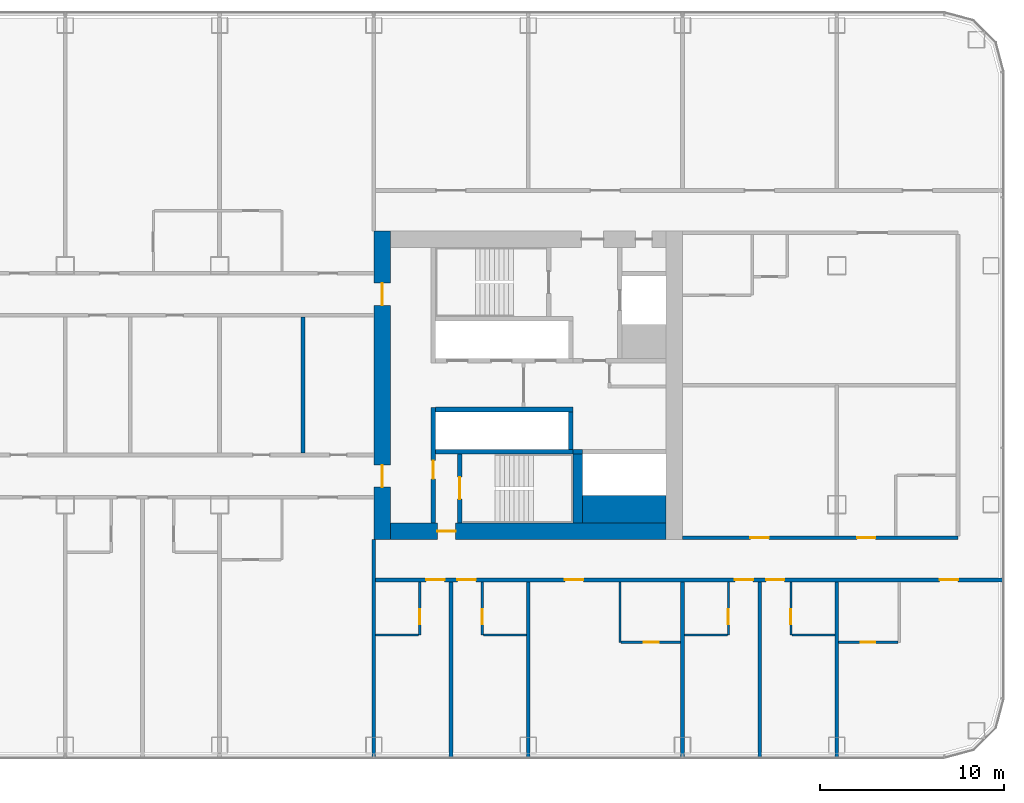
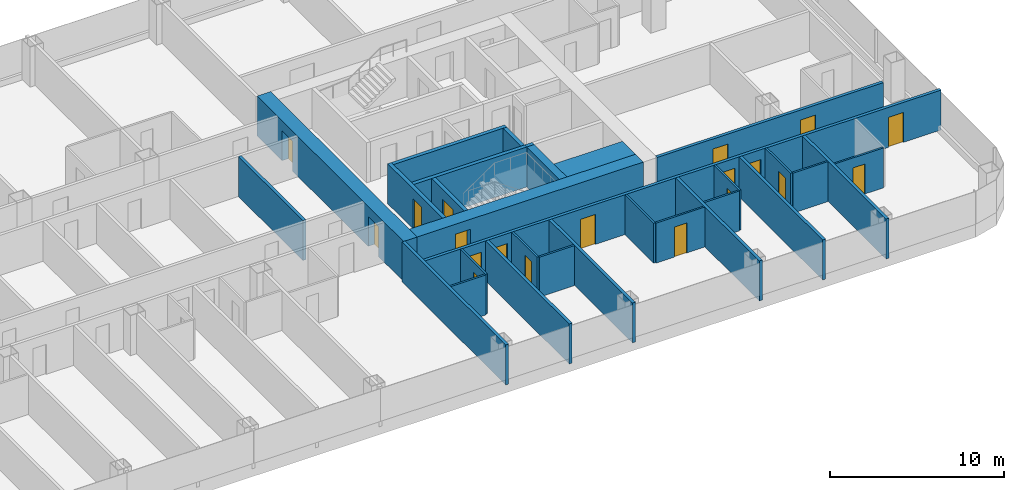
# One storey, part 18 of 29: 30 walls, 19 doors, 19 openings.
"""IFC4 building model written with IfcOpenShell, lengths in metres."""

from ifc_helpers import new_model, si_unit, direction, frame, frame_2d, origin, place, context, subcontext, project, spatial, rectangle, extrude, material, layer, layer_set, type_object, element, fill, save


model = new_model("IFC4")

# Units and contexts
model_context = context("Model", 3, precision=1e-05, world=origin(), true_north=direction((0.0, 1.0)))
body_context = subcontext(model_context, "Body", "Model", "MODEL_VIEW")
ifc_project = project(units=[si_unit("LENGTHUNIT", "METRE"), si_unit("AREAUNIT", "SQUARE_METRE"), si_unit("VOLUMEUNIT", "CUBIC_METRE"), si_unit("PLANEANGLEUNIT", "RADIAN"), si_unit("MASSUNIT", "GRAM", prefix="KILO")], contexts=[model_context])

# Site, building, storey
site_placement = place(None, origin())
site = spatial("IfcSite", under=ifc_project, at=site_placement, CompositionType="ELEMENT")
building_placement = place(site_placement, origin())
building = spatial("IfcBuilding", under=site, at=building_placement, Name="Hakoniwa Tower and Hamabe Station Hall", CompositionType="ELEMENT")
storey_placement = place(building_placement, frame((0.0, 0.0, 45.39990234375)))
storey = spatial("IfcBuildingStorey", under=building, at=storey_placement, Name="L12", CompositionType="ELEMENT", Elevation=45.39990234375)

# Wall, opening, door
ifc_material_1 = material(Name="Gypsum board partition", Category="gypsum")
ifc_layer_1 = layer(ifc_material_1, 0.125)
ifc_layer_set_1 = layer_set([ifc_layer_1], Name="Bathroom Partition 125")
wall_type_1 = type_object("IfcWallType", Name="Bathroom Partition 125", PredefinedType="PARTITIONING", material=ifc_layer_set_1)
wall_1_placement = place(storey_placement, frame((30.262451171875, -14.0, 0.0), z_axis=(0.0, 0.0, 1.0), x_axis=(1.0, 0.0, 0.0)))
wall_1 = element("IfcWall", 1, at=wall_1_placement, inside=storey, type_object=wall_type_1, Name="GW-L12-003", PredefinedType="PARTITIONING", context=body_context, shape_type="SweptSolid", body=[
    extrude(rectangle(XDim=3.237548828125, YDim=0.125, at=frame_2d((1.61865234375, 0.0))), origin(), (0.0, 0.0, 1.0), 2.800048828125),
])
opening_1_placement = place(wall_1_placement, frame((1.237548828125, 0.0, 0.0)))
opening_1 = element("IfcOpeningElement", 2, at=opening_1_placement, cuts=wall_1, Name="Opening GD-G1D1-03", PredefinedType="OPENING", context=body_context, shape_type="SweptSolid", body=[
    extrude(rectangle(XDim=0.800048828125, YDim=2.10009765625, at=frame_2d((0.39990234375, 1.050048828125))), frame((0.0, 0.072509765625, 0.0), z_axis=(0.0, -1.0, 0.0), x_axis=(1.0, 0.0, 0.0)), (0.0, 0.0, 1.0), 0.14501953125),
])
ifc_material_2 = material(Name="Timber door leaf", Category="wood")
door_type_1 = type_object("IfcDoorType", Name="Bathroom Door 800", OperationType="SINGLE_SWING_LEFT", PredefinedType="DOOR", material=ifc_material_2)
door_1_placement = place(opening_1_placement, origin())
door_1 = element("IfcDoor", 3, at=door_1_placement, inside=storey, type_object=door_type_1, Name="Door GD-G1D1-03", OperationType="SINGLE_SWING_RIGHT", OverallHeight=2.10009765625, OverallWidth=0.800048828125, PredefinedType="DOOR", context=body_context, shape_type="SweptSolid", body=[
    extrude(rectangle(XDim=0.800048828125, YDim=2.10009765625, at=frame_2d((0.39990234375, 1.050048828125))), frame((0.0, 0.02490234375, 0.0), z_axis=(0.0, -1.0, 0.0), x_axis=(1.0, 0.0, 0.0)), (0.0, 0.0, 1.0), 0.050048828125),
])
fill(opening_1, door_1)

wall_2_placement = place(storey_placement, frame((42.10009765625, -14.0, 0.0), z_axis=(0.0, 0.0, 1.0), x_axis=(1.0, 0.0, 0.0)))
wall_2 = element("IfcWall", 4, at=wall_2_placement, inside=storey, type_object=wall_type_1, Name="GW-L12-004", PredefinedType="PARTITIONING", context=body_context, shape_type="SweptSolid", body=[
    extrude(rectangle(XDim=3.2373046875, YDim=0.125, at=frame_2d((1.61865234375, 0.0))), origin(), (0.0, 0.0, 1.0), 2.800048828125),
])
opening_2_placement = place(wall_2_placement, frame((1.199951171875, 0.0, 0.0)))
opening_2 = element("IfcOpeningElement", 5, at=opening_2_placement, cuts=wall_2, Name="Opening GD-G1D1-04", PredefinedType="OPENING", context=body_context, shape_type="SweptSolid", body=[
    extrude(rectangle(XDim=0.800048828125, YDim=2.10009765625, at=frame_2d((0.39990234375, 1.050048828125))), frame((0.0, 0.072509765625, 0.0), z_axis=(0.0, -1.0, 0.0), x_axis=(1.0, 0.0, 0.0)), (0.0, 0.0, 1.0), 0.14501953125),
])
door_2_placement = place(opening_2_placement, origin())
door_2 = element("IfcDoor", 6, at=door_2_placement, inside=storey, type_object=door_type_1, Name="Door GD-G1D1-04", OperationType="SINGLE_SWING_LEFT", OverallHeight=2.10009765625, OverallWidth=0.800048828125, PredefinedType="DOOR", context=body_context, shape_type="SweptSolid", body=[
    extrude(rectangle(XDim=0.800048828125, YDim=2.10009765625, at=frame_2d((0.39990234375, 1.050048828125))), frame((0.0, 0.02490234375, 0.0), z_axis=(0.0, -1.0, 0.0), x_axis=(1.0, 0.0, 0.0)), (0.0, 0.0, 1.0), 0.050048828125),
])
fill(opening_2, door_2)

# Walls
for number, where, z_axis, x_axis, name in (
    (7, (16.89990234375, -13.60009765625, 0.0), (0.0, 0.0, 1.0), (1.0, 0.0, 0.0), "GW-L12-009"),
    (8, (22.762451171875, -13.60009765625, 0.0), (0.0, 0.0, 1.0), (1.0, 0.0, 0.0), "GW-L12-010"),
    (9, (33.699951171875, -13.60009765625, 0.0), (0.0, 0.0, 1.0), (1.0, 0.0, 0.0), "GW-L12-011"),
):
    element("IfcWall", number, at=place(storey_placement, frame(where, z_axis=z_axis, x_axis=x_axis)), inside=storey, type_object=wall_type_1, Name=name, PredefinedType="PARTITIONING", context=body_context, shape_type="SweptSolid", body=[
        extrude(rectangle(XDim=2.337646484375, YDim=0.125, at=frame_2d((1.1689453125, 0.0))), origin(), (0.0, 0.0, 1.0), 2.800048828125),
    ])
wall_3_placement = place(storey_placement, frame((39.5625, -13.60009765625, 0.0), z_axis=(0.0, 0.0, 1.0), x_axis=(1.0, 0.0, 0.0)))
element("IfcWall", 10, at=wall_3_placement, inside=storey, type_object=wall_type_1, Name="GW-L12-012", PredefinedType="PARTITIONING", context=body_context, shape_type="SweptSolid", body=[
    extrude(rectangle(XDim=2.33740234375, YDim=0.125, at=frame_2d((1.168701171875, 0.0))), origin(), (0.0, 0.0, 1.0), 2.800048828125),
])

# Wall, opening, door
wall_4_placement = place(storey_placement, frame((19.300048828125, -13.60009765625, 0.0), z_axis=(0.0, 0.0, 1.0), x_axis=(0.0, 1.0, 0.0)))
wall_4 = element("IfcWall", 11, at=wall_4_placement, inside=storey, type_object=wall_type_1, Name="GW-L12-098", PredefinedType="PARTITIONING", context=body_context, shape_type="SweptSolid", body=[
    extrude(rectangle(XDim=2.900146484375, YDim=0.125, at=frame_2d((1.4501953125, 0.0))), origin(), (0.0, 0.0, 1.0), 2.800048828125),
])
opening_3_placement = place(wall_4_placement, frame((0.60009765625, 0.0, 0.0)))
opening_3 = element("IfcOpeningElement", 12, at=opening_3_placement, cuts=wall_4, Name="Opening GD-G1D1-76", PredefinedType="OPENING", context=body_context, shape_type="SweptSolid", body=[
    extrude(rectangle(XDim=0.800048828125, YDim=2.10009765625, at=frame_2d((0.39990234375, 1.050048828125))), frame((0.0, 0.072509765625, 0.0), z_axis=(0.0, -1.0, 0.0), x_axis=(1.0, 0.0, 0.0)), (0.0, 0.0, 1.0), 0.14501953125),
])
door_3_placement = place(opening_3_placement, origin())
door_3 = element("IfcDoor", 13, at=door_3_placement, inside=storey, type_object=door_type_1, Name="Door GD-G1D1-76", OperationType="SINGLE_SWING_RIGHT", OverallHeight=2.10009765625, OverallWidth=0.800048828125, PredefinedType="DOOR", context=body_context, shape_type="SweptSolid", body=[
    extrude(rectangle(XDim=0.800048828125, YDim=2.10009765625, at=frame_2d((0.39990234375, 1.050048828125))), frame((0.0, 0.02490234375, 0.0), z_axis=(0.0, -1.0, 0.0), x_axis=(1.0, 0.0, 0.0)), (0.0, 0.0, 1.0), 0.050048828125),
])
fill(opening_3, door_3)

wall_5_placement = place(storey_placement, frame((22.699951171875, -13.60009765625, 0.0), z_axis=(0.0, 0.0, 1.0), x_axis=(0.0, 1.0, 0.0)))
wall_5 = element("IfcWall", 14, at=wall_5_placement, inside=storey, type_object=wall_type_1, Name="GW-L12-100", PredefinedType="PARTITIONING", context=body_context, shape_type="SweptSolid", body=[
    extrude(rectangle(XDim=2.900146484375, YDim=0.125, at=frame_2d((1.4501953125, 0.0))), origin(), (0.0, 0.0, 1.0), 2.800048828125),
])
opening_4_placement = place(wall_5_placement, frame((0.60009765625, 0.0, 0.0)))
opening_4 = element("IfcOpeningElement", 15, at=opening_4_placement, cuts=wall_5, Name="Opening GD-G1D1-77", PredefinedType="OPENING", context=body_context, shape_type="SweptSolid", body=[
    extrude(rectangle(XDim=0.800048828125, YDim=2.10009765625, at=frame_2d((0.39990234375, 1.050048828125))), frame((0.0, 0.072509765625, 0.0), z_axis=(0.0, -1.0, 0.0), x_axis=(1.0, 0.0, 0.0)), (0.0, 0.0, 1.0), 0.14501953125),
])
door_4_placement = place(opening_4_placement, origin())
door_4 = element("IfcDoor", 16, at=door_4_placement, inside=storey, type_object=door_type_1, Name="Door GD-G1D1-77", OperationType="SINGLE_SWING_LEFT", OverallHeight=2.10009765625, OverallWidth=0.800048828125, PredefinedType="DOOR", context=body_context, shape_type="SweptSolid", body=[
    extrude(rectangle(XDim=0.800048828125, YDim=2.10009765625, at=frame_2d((0.39990234375, 1.050048828125))), frame((0.0, 0.02490234375, 0.0), z_axis=(0.0, -1.0, 0.0), x_axis=(1.0, 0.0, 0.0)), (0.0, 0.0, 1.0), 0.050048828125),
])
fill(opening_4, door_4)

# Wall
wall_6_placement = place(storey_placement, frame((30.199951171875, -14.0, 0.0), z_axis=(0.0, 0.0, 1.0), x_axis=(0.0, 1.0, 0.0)))
element("IfcWall", 17, at=wall_6_placement, inside=storey, type_object=wall_type_1, Name="GW-L12-103", PredefinedType="PARTITIONING", context=body_context, shape_type="SweptSolid", body=[
    extrude(rectangle(XDim=3.300048828125, YDim=0.125, at=frame_2d((1.64990234375, 0.0))), origin(), (0.0, 0.0, 1.0), 2.800048828125),
])

# Wall, opening, door
wall_7_placement = place(storey_placement, frame((36.10009765625, -13.60009765625, 0.0), z_axis=(0.0, 0.0, 1.0), x_axis=(0.0, 1.0, 0.0)))
wall_7 = element("IfcWall", 18, at=wall_7_placement, inside=storey, type_object=wall_type_1, Name="GW-L12-106", PredefinedType="PARTITIONING", context=body_context, shape_type="SweptSolid", body=[
    extrude(rectangle(XDim=2.900146484375, YDim=0.125, at=frame_2d((1.4501953125, 0.0))), origin(), (0.0, 0.0, 1.0), 2.800048828125),
])
opening_5_placement = place(wall_7_placement, frame((0.60009765625, 0.0, 0.0)))
opening_5 = element("IfcOpeningElement", 19, at=opening_5_placement, cuts=wall_7, Name="Opening GD-G1D1-78", PredefinedType="OPENING", context=body_context, shape_type="SweptSolid", body=[
    extrude(rectangle(XDim=0.800048828125, YDim=2.10009765625, at=frame_2d((0.39990234375, 1.050048828125))), frame((0.0, 0.072509765625, 0.0), z_axis=(0.0, -1.0, 0.0), x_axis=(1.0, 0.0, 0.0)), (0.0, 0.0, 1.0), 0.14501953125),
])
door_5_placement = place(opening_5_placement, origin())
door_5 = element("IfcDoor", 20, at=door_5_placement, inside=storey, type_object=door_type_1, Name="Door GD-G1D1-78", OperationType="SINGLE_SWING_RIGHT", OverallHeight=2.10009765625, OverallWidth=0.800048828125, PredefinedType="DOOR", context=body_context, shape_type="SweptSolid", body=[
    extrude(rectangle(XDim=0.800048828125, YDim=2.10009765625, at=frame_2d((0.39990234375, 1.050048828125))), frame((0.0, 0.02490234375, 0.0), z_axis=(0.0, -1.0, 0.0), x_axis=(1.0, 0.0, 0.0)), (0.0, 0.0, 1.0), 0.050048828125),
])
fill(opening_5, door_5)

wall_8_placement = place(storey_placement, frame((39.5, -13.60009765625, 0.0), z_axis=(0.0, 0.0, 1.0), x_axis=(0.0, 1.0, 0.0)))
wall_8 = element("IfcWall", 21, at=wall_8_placement, inside=storey, type_object=wall_type_1, Name="GW-L12-110", PredefinedType="PARTITIONING", context=body_context, shape_type="SweptSolid", body=[
    extrude(rectangle(XDim=2.900146484375, YDim=0.125, at=frame_2d((1.4501953125, 0.0))), origin(), (0.0, 0.0, 1.0), 2.800048828125),
])
opening_6_placement = place(wall_8_placement, frame((0.60009765625, 0.0, 0.0)))
opening_6 = element("IfcOpeningElement", 22, at=opening_6_placement, cuts=wall_8, Name="Opening GD-G1D1-79", PredefinedType="OPENING", context=body_context, shape_type="SweptSolid", body=[
    extrude(rectangle(XDim=0.800048828125, YDim=2.10009765625, at=frame_2d((0.39990234375, 1.050048828125))), frame((0.0, 0.072509765625, 0.0), z_axis=(0.0, -1.0, 0.0), x_axis=(1.0, 0.0, 0.0)), (0.0, 0.0, 1.0), 0.14501953125),
])
door_6_placement = place(opening_6_placement, origin())
door_6 = element("IfcDoor", 23, at=door_6_placement, inside=storey, type_object=door_type_1, Name="Door GD-G1D1-79", OperationType="SINGLE_SWING_LEFT", OverallHeight=2.10009765625, OverallWidth=0.800048828125, PredefinedType="DOOR", context=body_context, shape_type="SweptSolid", body=[
    extrude(rectangle(XDim=0.800048828125, YDim=2.10009765625, at=frame_2d((0.39990234375, 1.050048828125))), frame((0.0, 0.02490234375, 0.0), z_axis=(0.0, -1.0, 0.0), x_axis=(1.0, 0.0, 0.0)), (0.0, 0.0, 1.0), 0.050048828125),
])
fill(opening_6, door_6)

# Wall, openings, doors
ifc_material_3 = material(Name="Concrete C80", Category="concrete")
ifc_layer_2 = layer(ifc_material_3, 0.89990234375)
ifc_layer_set_2 = layer_set([ifc_layer_2], Name="CORE WALL 900 C80")
wall_type_2 = type_object("IfcWallType", Name="CORE WALL 900 C80", PredefinedType="SHEAR", material=ifc_layer_set_2)
wall_9_placement = place(storey_placement, frame((17.25, -8.39990234375, 0.0), z_axis=(0.0, 0.0, 1.0), x_axis=(0.0, 1.0, 0.0)))
wall_9 = element("IfcWall", 24, at=wall_9_placement, inside=storey, type_object=wall_type_2, Name="Core wall INNER east", PredefinedType="SHEAR", context=body_context, shape_type="SweptSolid", body=[
    extrude(rectangle(XDim=16.7998046875, YDim=0.89990234375, at=frame_2d((8.39990234375, 0.0))), origin(), (0.0, 0.0, 1.0), 2.800048828125),
])
opening_7_placement = place(wall_9_placement, frame((12.75, 0.0, 0.0)))
opening_7 = element("IfcOpeningElement", 25, at=opening_7_placement, cuts=wall_9, Name="Opening CD-E-IN1-12", PredefinedType="OPENING", context=body_context, shape_type="SweptSolid", body=[
    extrude(rectangle(XDim=1.199951171875, YDim=2.10009765625, at=frame_2d((0.60009765625, 1.050048828125))), frame((0.0, 0.4599609375, 0.0), z_axis=(0.0, -1.0, 0.0), x_axis=(1.0, 0.0, 0.0)), (0.0, 0.0, 1.0), 0.919921875),
])
opening_8_placement = place(wall_9_placement, frame((2.85009765625, 0.0, 0.0)))
opening_8 = element("IfcOpeningElement", 26, at=opening_8_placement, cuts=wall_9, Name="Opening CD-E-IN2-12", PredefinedType="OPENING", context=body_context, shape_type="SweptSolid", body=[
    extrude(rectangle(XDim=1.199951171875, YDim=2.10009765625, at=frame_2d((0.60009765625, 1.050048828125))), frame((0.0, 0.4599609375, 0.0), z_axis=(0.0, -1.0, 0.0), x_axis=(1.0, 0.0, 0.0)), (0.0, 0.0, 1.0), 0.919921875),
])
ifc_material_4 = material(Name="Steel fire door", Category="steel")
door_type_2 = type_object("IfcDoorType", Name="CORE DOOR 1200 FD60", OperationType="DOUBLE_DOOR_SINGLE_SWING", PredefinedType="DOOR", material=ifc_material_4)
door_7_placement = place(opening_7_placement, origin())
door_7 = element("IfcDoor", 27, at=door_7_placement, inside=storey, type_object=door_type_2, Name="Lift lobby door", OperationType="DOUBLE_DOOR_SINGLE_SWING", OverallHeight=2.10009765625, OverallWidth=1.199951171875, PredefinedType="DOOR", context=body_context, shape_type="SweptSolid", body=[
    extrude(rectangle(XDim=1.199951171875, YDim=2.10009765625, at=frame_2d((0.60009765625, 1.050048828125))), frame((0.0, 0.02490234375, 0.0), z_axis=(0.0, -1.0, 0.0), x_axis=(1.0, 0.0, 0.0)), (0.0, 0.0, 1.0), 0.050048828125),
])
fill(opening_7, door_7)
door_8_placement = place(opening_8_placement, origin())
door_8 = element("IfcDoor", 28, at=door_8_placement, inside=storey, type_object=door_type_2, Name="Lift lobby door", OperationType="DOUBLE_DOOR_SINGLE_SWING", OverallHeight=2.10009765625, OverallWidth=1.199951171875, PredefinedType="DOOR", context=body_context, shape_type="SweptSolid", body=[
    extrude(rectangle(XDim=1.199951171875, YDim=2.10009765625, at=frame_2d((0.60009765625, 1.050048828125))), frame((0.0, 0.02490234375, 0.0), z_axis=(0.0, -1.0, 0.0), x_axis=(1.0, 0.0, 0.0)), (0.0, 0.0, 1.0), 0.050048828125),
])
fill(opening_8, door_8)

# Wall, opening, door
wall_10_placement = place(storey_placement, frame((17.699951171875, -7.949951171875, 0.0), z_axis=(0.0, 0.0, 1.0), x_axis=(1.0, 0.0, 0.0)))
wall_10 = element("IfcWall", 29, at=wall_10_placement, inside=storey, type_object=wall_type_2, Name="Core wall SOUTH east", PredefinedType="SHEAR", context=body_context, shape_type="SweptSolid", body=[
    extrude(rectangle(XDim=15.0, YDim=0.89990234375, at=frame_2d((7.5, 0.0))), origin(), (0.0, 0.0, 1.0), 2.800048828125),
])
opening_9_placement = place(wall_10_placement, frame((2.550048828125, 0.0, 0.0)))
opening_9 = element("IfcOpeningElement", 30, at=opening_9_placement, cuts=wall_10, Name="Opening CD-E-FS3-10", PredefinedType="OPENING", context=body_context, shape_type="SweptSolid", body=[
    extrude(rectangle(XDim=1.0, YDim=2.10009765625, at=frame_2d((0.5, 1.050048828125))), frame((0.0, 0.4599609375, 0.0), z_axis=(0.0, -1.0, 0.0), x_axis=(1.0, 0.0, 0.0)), (0.0, 0.0, 1.0), 0.919921875),
])
ifc_material_5 = material(Name="Steel fire door", Category="steel")
door_type_3 = type_object("IfcDoorType", Name="CORE DOOR 1000 FD60", OperationType="NOTDEFINED", PredefinedType="DOOR", material=ifc_material_5)
door_9_placement = place(opening_9_placement, origin())
door_9 = element("IfcDoor", 31, at=door_9_placement, inside=storey, type_object=door_type_3, Name="Stair vestibule door", OperationType="SINGLE_SWING_LEFT", OverallHeight=2.10009765625, OverallWidth=1.0, PredefinedType="DOOR", context=body_context, shape_type="SweptSolid", body=[
    extrude(rectangle(XDim=1.0, YDim=2.10009765625, at=frame_2d((0.5, 1.050048828125))), frame((0.0, 0.02490234375, 0.0), z_axis=(0.0, -1.0, 0.0), x_axis=(1.0, 0.0, 0.0)), (0.0, 0.0, 1.0), 0.050048828125),
])
fill(opening_9, door_9)

# Wall
ifc_material_6 = material(Name="Concrete C80", Category="concrete")
ifc_layer_3 = layer(ifc_material_6, 1.5)
ifc_layer_set_3 = layer_set([ifc_layer_3], Name="CORE WEB WALL 1500 C80")
wall_type_3 = type_object("IfcWallType", Name="CORE WEB WALL 1500 C80", PredefinedType="SHEAR", material=ifc_layer_set_3)
wall_11_placement = place(storey_placement, frame((28.14990234375, -6.75, 0.0), z_axis=(0.0, 0.0, 1.0), x_axis=(1.0, 0.0, 0.0)))
element("IfcWall", 32, at=wall_11_placement, inside=storey, type_object=wall_type_3, Name="Core wall SER east", PredefinedType="SHEAR", context=body_context, shape_type="SweptSolid", body=[
    extrude(rectangle(XDim=4.550048828125, YDim=1.5, at=frame_2d((2.27490234375, 0.0))), origin(), (0.0, 0.0, 1.0), 2.800048828125),
])

# Wall, opening, door
ifc_material_7 = material(Name="Concrete C80", Category="concrete")
ifc_layer_4 = layer(ifc_material_7, 0.25)
ifc_layer_set_4 = layer_set([ifc_layer_4], Name="CORE WEB WALL 250 C80")
wall_type_4 = type_object("IfcWallType", Name="CORE WEB WALL 250 C80", PredefinedType="SHEAR", material=ifc_layer_set_4)
wall_12_placement = place(storey_placement, frame((20.02490234375, -7.5, 0.0), z_axis=(0.0, 0.0, 1.0), x_axis=(0.0, 1.0, 0.0)))
wall_12 = element("IfcWall", 33, at=wall_12_placement, inside=storey, type_object=wall_type_4, Name="Core wall W1S east", PredefinedType="SHEAR", context=body_context, shape_type="SweptSolid", body=[
    extrude(rectangle(XDim=6.300048828125, YDim=0.25, at=frame_2d((3.14990234375, 0.0))), origin(), (0.0, 0.0, 1.0), 2.800048828125),
])
opening_10_placement = place(wall_12_placement, frame((2.39990234375, 0.0, 0.0)))
opening_10 = element("IfcOpeningElement", 34, at=opening_10_placement, cuts=wall_12, Name="Opening CD-E-VS-10", PredefinedType="OPENING", context=body_context, shape_type="SweptSolid", body=[
    extrude(rectangle(XDim=1.0, YDim=2.10009765625, at=frame_2d((0.5, 1.050048828125))), frame((0.0, 0.135009765625, 0.0), z_axis=(0.0, -1.0, 0.0), x_axis=(1.0, 0.0, 0.0)), (0.0, 0.0, 1.0), 0.27001953125),
])
door_10_placement = place(opening_10_placement, origin())
door_10 = element("IfcDoor", 35, at=door_10_placement, inside=storey, type_object=door_type_3, Name="Stair vestibule door", OperationType="SINGLE_SWING_RIGHT", OverallHeight=2.10009765625, OverallWidth=1.0, PredefinedType="DOOR", context=body_context, shape_type="SweptSolid", body=[
    extrude(rectangle(XDim=1.0, YDim=2.10009765625, at=frame_2d((0.5, 1.050048828125))), frame((0.0, 0.02490234375, 0.0), z_axis=(0.0, -1.0, 0.0), x_axis=(1.0, 0.0, 0.0)), (0.0, 0.0, 1.0), 0.050048828125),
])
fill(opening_10, door_10)

# Walls
wall_13_placement = place(storey_placement, frame((20.14990234375, -1.324951171875, 0.0), z_axis=(0.0, 0.0, 1.0), x_axis=(1.0, 0.0, 0.0)))
element("IfcWall", 36, at=wall_13_placement, inside=storey, type_object=wall_type_4, Name="Core wall SF east", PredefinedType="SHEAR", context=body_context, shape_type="SweptSolid", body=[
    extrude(rectangle(XDim=7.5, YDim=0.25, at=frame_2d((3.75, 0.0))), origin(), (0.0, 0.0, 1.0), 2.800048828125),
])
wall_14_placement = place(storey_placement, frame((27.52490234375, -3.5, 0.0), z_axis=(0.0, 0.0, 1.0), x_axis=(0.0, 1.0, 0.0)))
element("IfcWall", 37, at=wall_14_placement, inside=storey, type_object=wall_type_4, Name="Core wall SE east", PredefinedType="SHEAR", context=body_context, shape_type="SweptSolid", body=[
    extrude(rectangle(XDim=2.050048828125, YDim=0.25, at=frame_2d((1.02490234375, 0.0))), origin(), (0.0, 0.0, 1.0), 2.800048828125),
])
wall_15_placement = place(storey_placement, frame((20.14990234375, -3.625, 0.0), z_axis=(0.0, 0.0, 1.0), x_axis=(1.0, 0.0, 0.0)))
element("IfcWall", 38, at=wall_15_placement, inside=storey, type_object=wall_type_4, Name="Core wall SR east", PredefinedType="SHEAR", context=body_context, shape_type="SweptSolid", body=[
    extrude(rectangle(XDim=7.5, YDim=0.25, at=frame_2d((3.75, 0.0))), origin(), (0.0, 0.0, 1.0), 2.800048828125),
])

# Wall, opening, door
wall_16_placement = place(storey_placement, frame((21.47509765625, -7.5, 0.0), z_axis=(0.0, 0.0, 1.0), x_axis=(0.0, 1.0, 0.0)))
wall_16 = element("IfcWall", 39, at=wall_16_placement, inside=storey, type_object=wall_type_4, Name="Core wall VE east", PredefinedType="SHEAR", context=body_context, shape_type="SweptSolid", body=[
    extrude(rectangle(XDim=3.75, YDim=0.25, at=frame_2d((1.875, 0.0))), origin(), (0.0, 0.0, 1.0), 2.800048828125),
])
opening_11_placement = place(wall_16_placement, frame((1.300048828125, 0.0, 0.0)))
opening_11 = element("IfcOpeningElement", 40, at=opening_11_placement, cuts=wall_16, Name="Opening CD-E-SS-12", PredefinedType="OPENING", context=body_context, shape_type="SweptSolid", body=[
    extrude(rectangle(XDim=1.199951171875, YDim=2.10009765625, at=frame_2d((0.60009765625, 1.050048828125))), frame((0.0, 0.135009765625, 0.0), z_axis=(0.0, -1.0, 0.0), x_axis=(1.0, 0.0, 0.0)), (0.0, 0.0, 1.0), 0.27001953125),
])
door_11_placement = place(opening_11_placement, origin())
door_11 = element("IfcDoor", 41, at=door_11_placement, inside=storey, type_object=door_type_2, Name="Escape stair door", OperationType="DOUBLE_DOOR_SINGLE_SWING", OverallHeight=2.10009765625, OverallWidth=1.199951171875, PredefinedType="DOOR", context=body_context, shape_type="SweptSolid", body=[
    extrude(rectangle(XDim=1.199951171875, YDim=2.10009765625, at=frame_2d((0.60009765625, 1.050048828125))), frame((0.0, 0.02490234375, 0.0), z_axis=(0.0, -1.0, 0.0), x_axis=(1.0, 0.0, 0.0)), (0.0, 0.0, 1.0), 0.050048828125),
])
fill(opening_11, door_11)

# Walls
wall_17_placement = place(storey_placement, frame((27.64990234375, -3.625, 0.0), z_axis=(0.0, 0.0, 1.0), x_axis=(1.0, 0.0, 0.0)))
element("IfcWall", 42, at=wall_17_placement, inside=storey, type_object=wall_type_4, Name="Core wall SRK east", PredefinedType="SHEAR", context=body_context, shape_type="SweptSolid", body=[
    extrude(rectangle(XDim=0.5, YDim=0.25, at=frame_2d((0.25, 0.0))), origin(), (0.0, 0.0, 1.0), 2.800048828125),
])
ifc_material_8 = material(Name="Concrete C80", Category="concrete")
ifc_layer_5 = layer(ifc_material_8, 0.5)
ifc_layer_set_5 = layer_set([ifc_layer_5], Name="CORE WEB WALL 500 C80")
wall_type_5 = type_object("IfcWallType", Name="CORE WEB WALL 500 C80", PredefinedType="SHEAR", material=ifc_layer_set_5)
wall_18_placement = place(storey_placement, frame((27.89990234375, -7.5, 0.0), z_axis=(0.0, 0.0, 1.0), x_axis=(0.0, 1.0, 0.0)))
element("IfcWall", 43, at=wall_18_placement, inside=storey, type_object=wall_type_5, Name="Core wall SSE east", PredefinedType="SHEAR", context=body_context, shape_type="SweptSolid", body=[
    extrude(rectangle(XDim=3.75, YDim=0.5, at=frame_2d((1.875, 0.0))), origin(), (0.0, 0.0, 1.0), 2.800048828125),
])

# Wall, openings, doors
ifc_material_9 = material(Name="Fire-rated gypsum board partition", Category="gypsum")
ifc_layer_6 = layer(ifc_material_9, 0.199951171875)
ifc_layer_set_6 = layer_set([ifc_layer_6], Name="Corridor Wall 200")
wall_type_6 = type_object("IfcWallType", Name="Corridor Wall 200", PredefinedType="PARTITIONING", material=ifc_layer_set_6)
wall_19_placement = place(storey_placement, frame((16.800048828125, -10.60009765625, 0.0), z_axis=(0.0, 0.0, 1.0), x_axis=(1.0, 0.0, 0.0)))
wall_19 = element("IfcWall", 44, at=wall_19_placement, inside=storey, type_object=wall_type_6, Name="GW-L12-014", PredefinedType="PARTITIONING", context=body_context, shape_type="SweptSolid", body=[
    extrude(rectangle(XDim=34.300048828125, YDim=0.199951171875, at=frame_2d((17.14990234375, 0.0))), origin(), (0.0, 0.0, 1.0), 2.800048828125),
])
opening_12_placement = place(wall_19_placement, frame((2.85009765625, 0.0, 0.0)))
opening_12 = element("IfcOpeningElement", 45, at=opening_12_placement, cuts=wall_19, Name="Opening GD-G1D1-11", PredefinedType="OPENING", context=body_context, shape_type="SweptSolid", body=[
    extrude(rectangle(XDim=1.0, YDim=2.10009765625, at=frame_2d((0.5, 1.050048828125))), frame((0.0, 0.10986328125, 0.0), z_axis=(0.0, -1.0, 0.0), x_axis=(1.0, 0.0, 0.0)), (0.0, 0.0, 1.0), 0.219970703125),
])
opening_13_placement = place(wall_19_placement, frame((4.550048828125, 0.0, 0.0)))
opening_13 = element("IfcOpeningElement", 46, at=opening_13_placement, cuts=wall_19, Name="Opening GD-G1D1-12", PredefinedType="OPENING", context=body_context, shape_type="SweptSolid", body=[
    extrude(rectangle(XDim=1.0, YDim=2.10009765625, at=frame_2d((0.5, 1.050048828125))), frame((0.0, 0.10986328125, 0.0), z_axis=(0.0, -1.0, 0.0), x_axis=(1.0, 0.0, 0.0)), (0.0, 0.0, 1.0), 0.219970703125),
])
opening_14_placement = place(wall_19_placement, frame((10.39990234375, 0.0, 0.0)))
opening_14 = element("IfcOpeningElement", 47, at=opening_14_placement, cuts=wall_19, Name="Opening GD-G1D1-13", PredefinedType="OPENING", context=body_context, shape_type="SweptSolid", body=[
    extrude(rectangle(XDim=1.0, YDim=2.10009765625, at=frame_2d((0.5, 1.050048828125))), frame((0.0, 0.10986328125, 0.0), z_axis=(0.0, -1.0, 0.0), x_axis=(1.0, 0.0, 0.0)), (0.0, 0.0, 1.0), 0.219970703125),
])
opening_15_placement = place(wall_19_placement, frame((19.64990234375, 0.0, 0.0)))
opening_15 = element("IfcOpeningElement", 48, at=opening_15_placement, cuts=wall_19, Name="Opening GD-G1D1-14", PredefinedType="OPENING", context=body_context, shape_type="SweptSolid", body=[
    extrude(rectangle(XDim=1.0, YDim=2.10009765625, at=frame_2d((0.5, 1.050048828125))), frame((0.0, 0.10986328125, 0.0), z_axis=(0.0, -1.0, 0.0), x_axis=(1.0, 0.0, 0.0)), (0.0, 0.0, 1.0), 0.219970703125),
])
opening_16_placement = place(wall_19_placement, frame((21.35009765625, 0.0, 0.0)))
opening_16 = element("IfcOpeningElement", 49, at=opening_16_placement, cuts=wall_19, Name="Opening GD-G1D1-15", PredefinedType="OPENING", context=body_context, shape_type="SweptSolid", body=[
    extrude(rectangle(XDim=1.0, YDim=2.10009765625, at=frame_2d((0.5, 1.050048828125))), frame((0.0, 0.10986328125, 0.0), z_axis=(0.0, -1.0, 0.0), x_axis=(1.0, 0.0, 0.0)), (0.0, 0.0, 1.0), 0.219970703125),
])
opening_17_placement = place(wall_19_placement, frame((30.800048828125, 0.0, 0.0)))
opening_17 = element("IfcOpeningElement", 50, at=opening_17_placement, cuts=wall_19, Name="Opening GD-G1D1-16", PredefinedType="OPENING", context=body_context, shape_type="SweptSolid", body=[
    extrude(rectangle(XDim=1.0, YDim=2.10009765625, at=frame_2d((0.5, 1.050048828125))), frame((0.0, 0.10986328125, 0.0), z_axis=(0.0, -1.0, 0.0), x_axis=(1.0, 0.0, 0.0)), (0.0, 0.0, 1.0), 0.219970703125),
])
ifc_material_10 = material(Name="Timber door leaf", Category="wood")
door_type_4 = type_object("IfcDoorType", Name="Guest Entrance Door 1000", OperationType="SINGLE_SWING_LEFT", PredefinedType="DOOR", material=ifc_material_10)
door_12_placement = place(opening_12_placement, origin())
door_12 = element("IfcDoor", 51, at=door_12_placement, inside=storey, type_object=door_type_4, Name="Door GD-G1D1-11", OperationType="SINGLE_SWING_RIGHT", OverallHeight=2.10009765625, OverallWidth=1.0, PredefinedType="DOOR", context=body_context, shape_type="SweptSolid", body=[
    extrude(rectangle(XDim=1.0, YDim=2.10009765625, at=frame_2d((0.5, 1.050048828125))), frame((0.0, 0.02490234375, 0.0), z_axis=(0.0, -1.0, 0.0), x_axis=(1.0, 0.0, 0.0)), (0.0, 0.0, 1.0), 0.050048828125),
])
fill(opening_12, door_12)
door_13_placement = place(opening_13_placement, origin())
door_13 = element("IfcDoor", 52, at=door_13_placement, inside=storey, type_object=door_type_4, Name="Door GD-G1D1-12", OperationType="SINGLE_SWING_LEFT", OverallHeight=2.10009765625, OverallWidth=1.0, PredefinedType="DOOR", context=body_context, shape_type="SweptSolid", body=[
    extrude(rectangle(XDim=1.0, YDim=2.10009765625, at=frame_2d((0.5, 1.050048828125))), frame((0.0, 0.02490234375, 0.0), z_axis=(0.0, -1.0, 0.0), x_axis=(1.0, 0.0, 0.0)), (0.0, 0.0, 1.0), 0.050048828125),
])
fill(opening_13, door_13)
door_14_placement = place(opening_14_placement, origin())
door_14 = element("IfcDoor", 53, at=door_14_placement, inside=storey, type_object=door_type_4, Name="Door GD-G1D1-13", OperationType="SINGLE_SWING_RIGHT", OverallHeight=2.10009765625, OverallWidth=1.0, PredefinedType="DOOR", context=body_context, shape_type="SweptSolid", body=[
    extrude(rectangle(XDim=1.0, YDim=2.10009765625, at=frame_2d((0.5, 1.050048828125))), frame((0.0, 0.02490234375, 0.0), z_axis=(0.0, -1.0, 0.0), x_axis=(1.0, 0.0, 0.0)), (0.0, 0.0, 1.0), 0.050048828125),
])
fill(opening_14, door_14)
door_15_placement = place(opening_15_placement, origin())
door_15 = element("IfcDoor", 54, at=door_15_placement, inside=storey, type_object=door_type_4, Name="Door GD-G1D1-14", OperationType="SINGLE_SWING_LEFT", OverallHeight=2.10009765625, OverallWidth=1.0, PredefinedType="DOOR", context=body_context, shape_type="SweptSolid", body=[
    extrude(rectangle(XDim=1.0, YDim=2.10009765625, at=frame_2d((0.5, 1.050048828125))), frame((0.0, 0.02490234375, 0.0), z_axis=(0.0, -1.0, 0.0), x_axis=(1.0, 0.0, 0.0)), (0.0, 0.0, 1.0), 0.050048828125),
])
fill(opening_15, door_15)
door_16_placement = place(opening_16_placement, origin())
door_16 = element("IfcDoor", 55, at=door_16_placement, inside=storey, type_object=door_type_4, Name="Door GD-G1D1-15", OperationType="SINGLE_SWING_RIGHT", OverallHeight=2.10009765625, OverallWidth=1.0, PredefinedType="DOOR", context=body_context, shape_type="SweptSolid", body=[
    extrude(rectangle(XDim=1.0, YDim=2.10009765625, at=frame_2d((0.5, 1.050048828125))), frame((0.0, 0.02490234375, 0.0), z_axis=(0.0, -1.0, 0.0), x_axis=(1.0, 0.0, 0.0)), (0.0, 0.0, 1.0), 0.050048828125),
])
fill(opening_16, door_16)
door_17_placement = place(opening_17_placement, origin())
door_17 = element("IfcDoor", 56, at=door_17_placement, inside=storey, type_object=door_type_4, Name="Door GD-G1D1-16", OperationType="SINGLE_SWING_LEFT", OverallHeight=2.10009765625, OverallWidth=1.0, PredefinedType="DOOR", context=body_context, shape_type="SweptSolid", body=[
    extrude(rectangle(XDim=1.0, YDim=2.10009765625, at=frame_2d((0.5, 1.050048828125))), frame((0.0, 0.02490234375, 0.0), z_axis=(0.0, -1.0, 0.0), x_axis=(1.0, 0.0, 0.0)), (0.0, 0.0, 1.0), 0.050048828125),
])
fill(opening_17, door_17)

wall_20_placement = place(storey_placement, frame((33.60009765625, -8.300048828125, 0.0), z_axis=(0.0, 0.0, 1.0), x_axis=(1.0, 0.0, 0.0)))
wall_20 = element("IfcWall", 57, at=wall_20_placement, inside=storey, type_object=wall_type_6, Name="GW-L12-021", PredefinedType="PARTITIONING", context=body_context, shape_type="SweptSolid", body=[
    extrude(rectangle(XDim=15.0, YDim=0.199951171875, at=frame_2d((7.5, 0.0))), origin(), (0.0, 0.0, 1.0), 2.800048828125),
])
opening_18_placement = place(wall_20_placement, frame((3.699951171875, 0.0, 0.0)))
opening_18 = element("IfcOpeningElement", 58, at=opening_18_placement, cuts=wall_20, Name="Opening GD-G1D1-19", PredefinedType="OPENING", context=body_context, shape_type="SweptSolid", body=[
    extrude(rectangle(XDim=1.0, YDim=2.10009765625, at=frame_2d((0.5, 1.050048828125))), frame((0.0, 0.10986328125, 0.0), z_axis=(0.0, -1.0, 0.0), x_axis=(1.0, 0.0, 0.0)), (0.0, 0.0, 1.0), 0.219970703125),
])
opening_19_placement = place(wall_20_placement, frame((9.5, 0.0, 0.0)))
opening_19 = element("IfcOpeningElement", 59, at=opening_19_placement, cuts=wall_20, Name="Opening GD-G1D1-20", PredefinedType="OPENING", context=body_context, shape_type="SweptSolid", body=[
    extrude(rectangle(XDim=1.0, YDim=2.10009765625, at=frame_2d((0.5, 1.050048828125))), frame((0.0, 0.10986328125, 0.0), z_axis=(0.0, -1.0, 0.0), x_axis=(1.0, 0.0, 0.0)), (0.0, 0.0, 1.0), 0.219970703125),
])
door_18_placement = place(opening_18_placement, origin())
door_18 = element("IfcDoor", 60, at=door_18_placement, inside=storey, type_object=door_type_4, Name="Door GD-G1D1-19", OperationType="SINGLE_SWING_LEFT", OverallHeight=2.10009765625, OverallWidth=1.0, PredefinedType="DOOR", context=body_context, shape_type="SweptSolid", body=[
    extrude(rectangle(XDim=1.0, YDim=2.10009765625, at=frame_2d((0.5, 1.050048828125))), frame((0.0, 0.02490234375, 0.0), z_axis=(0.0, -1.0, 0.0), x_axis=(1.0, 0.0, 0.0)), (0.0, 0.0, 1.0), 0.050048828125),
])
fill(opening_18, door_18)
door_19_placement = place(opening_19_placement, origin())
door_19 = element("IfcDoor", 61, at=door_19_placement, inside=storey, type_object=door_type_4, Name="Door GD-G1D1-20", OperationType="SINGLE_SWING_LEFT", OverallHeight=2.10009765625, OverallWidth=1.0, PredefinedType="DOOR", context=body_context, shape_type="SweptSolid", body=[
    extrude(rectangle(XDim=1.0, YDim=2.10009765625, at=frame_2d((0.5, 1.050048828125))), frame((0.0, 0.02490234375, 0.0), z_axis=(0.0, -1.0, 0.0), x_axis=(1.0, 0.0, 0.0)), (0.0, 0.0, 1.0), 0.050048828125),
])
fill(opening_19, door_19)

# Walls
ifc_material_11 = material(Name="Fire-rated gypsum board partition", Category="gypsum")
ifc_layer_7 = layer(ifc_material_11, 0.199951171875)
ifc_layer_set_7 = layer_set([ifc_layer_7], Name="Party Wall 200")
wall_type_7 = type_object("IfcWallType", Name="Party Wall 200", PredefinedType="PARTITIONING", material=ifc_layer_set_7)
wall_21_placement = place(storey_placement, frame((12.93994140625, -3.699951171875, 0.0), z_axis=(0.0, 0.0, 1.0), x_axis=(0.0, 1.0, 0.0)))
element("IfcWall", 62, at=wall_21_placement, inside=storey, type_object=wall_type_7, Name="GW-L12-095", PredefinedType="PARTITIONING", context=body_context, shape_type="SweptSolid", body=[
    extrude(rectangle(XDim=7.39990234375, YDim=0.199951171875, at=frame_2d((3.699951171875, 0.0))), origin(), (0.0, 0.0, 1.0), 2.800048828125),
])
wall_22_placement = place(storey_placement, frame((16.800048828125, -20.300048828125, 0.0), z_axis=(0.0, 0.0, 1.0), x_axis=(0.0, 1.0, 0.0)))
element("IfcWall", 63, at=wall_22_placement, inside=storey, type_object=wall_type_7, Name="GW-L12-096", PredefinedType="PARTITIONING", context=body_context, shape_type="SweptSolid", body=[
    extrude(rectangle(XDim=11.91015625, YDim=0.199951171875, at=frame_2d((5.955078125, 0.0))), origin(), (0.0, 0.0, 1.0), 2.800048828125),
])
for number, where, z_axis, x_axis, name in (
    (64, (21.0, -20.300048828125, 0.0), (0.0, 0.0, 1.0), (0.0, 1.0, 0.0), "GW-L12-099"),
    (65, (25.199951171875, -20.300048828125, 0.0), (0.0, 0.0, 1.0), (0.0, 1.0, 0.0), "GW-L12-101"),
    (66, (33.60009765625, -20.300048828125, 0.0), (0.0, 0.0, 1.0), (0.0, 1.0, 0.0), "GW-L12-104"),
    (67, (37.800048828125, -20.300048828125, 0.0), (0.0, 0.0, 1.0), (0.0, 1.0, 0.0), "GW-L12-108"),
    (68, (42.0, -20.300048828125, 0.0), (0.0, 0.0, 1.0), (0.0, 1.0, 0.0), "GW-L12-111"),
):
    element("IfcWall", number, at=place(storey_placement, frame(where, z_axis=z_axis, x_axis=x_axis)), inside=storey, type_object=wall_type_7, Name=name, PredefinedType="PARTITIONING", context=body_context, shape_type="SweptSolid", body=[
        extrude(rectangle(XDim=9.60009765625, YDim=0.199951171875, at=frame_2d((4.800048828125, 0.0))), origin(), (0.0, 0.0, 1.0), 2.800048828125),
    ])

save(model, "model.ifc")
